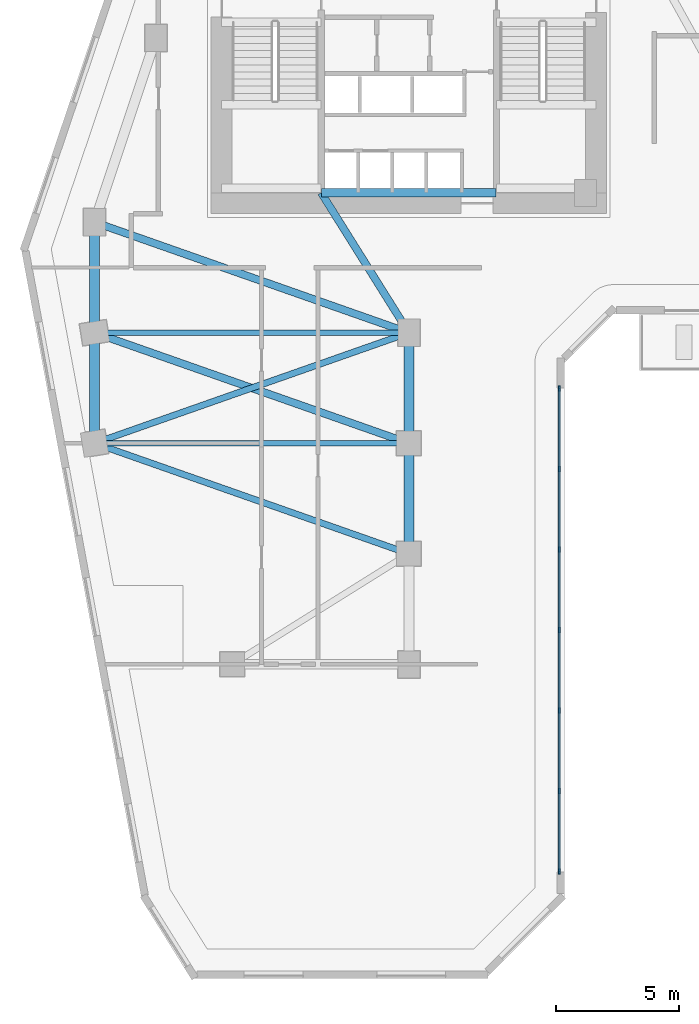
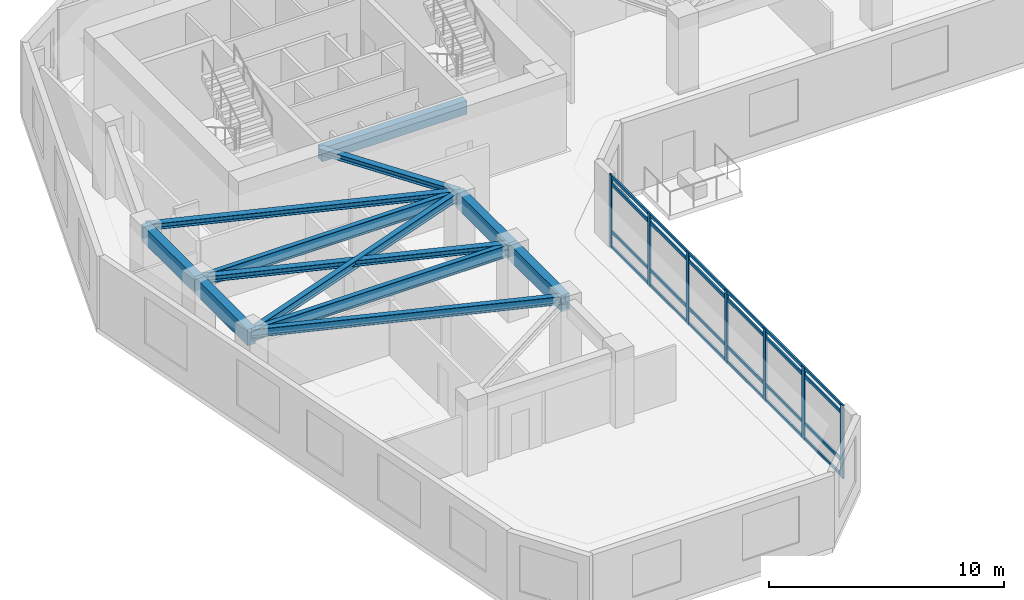
# One storey, part 2 of 11: 12 beams, 11 members, 1 element without a shape of its own.
"""IFC4 building model written with IfcOpenShell, lengths in metres."""

from ifc_helpers import new_model, si_unit, direction, frame, origin, origin_2d, place, context, subcontext, project, spatial, rectangle, i_section, extrude, source, transform, mapped, material, material_profile, profile_set, type_object, element, aggregate, save


model = new_model("IFC4")

# Units and contexts
model_context = context("Model", 3, precision=1e-05, world=origin(), true_north=direction((0.0, 1.0)))
body_context = subcontext(model_context, "Body", "Model", "MODEL_VIEW")
ifc_project = project(units=[si_unit("LENGTHUNIT", "METRE"), si_unit("AREAUNIT", "SQUARE_METRE"), si_unit("VOLUMEUNIT", "CUBIC_METRE"), si_unit("PLANEANGLEUNIT", "RADIAN"), si_unit("MASSUNIT", "GRAM", prefix="KILO")], contexts=[model_context])

# Site, building, storey
site_placement = place(None, origin())
site = spatial("IfcSite", under=ifc_project, at=site_placement, CompositionType="ELEMENT")
building_placement = place(site_placement, origin())
building = spatial("IfcBuilding", under=site, at=building_placement, Name="Calvemar Wedge Station Tower", CompositionType="ELEMENT")
storey_placement = place(building_placement, frame((0.0, 0.0, 47.0)))
storey = spatial("IfcBuildingStorey", under=building, at=storey_placement, Name="L11", CompositionType="ELEMENT", Elevation=47.0)

# Beams
ifc_material_1 = material(Name="Concrete C60", Category="concrete")
ifc_material_profile_1 = material_profile(ifc_material_1, rectangle(XDim=0.39990234375, YDim=0.85009765625, at=origin_2d()), Name="RC400x850")
ifc_profile_set_1 = profile_set([ifc_material_profile_1], Name="Concrete C60")
beam_type_1 = type_object("IfcBeamType", Name="BM-SP1-850", PredefinedType="SPANDREL", material=ifc_profile_set_1)
shared_shape_1 = source(origin(), body_context, "Body", "SweptSolid", [
    extrude(rectangle(XDim=0.39990234375, YDim=0.85009765625, at=origin_2d()), origin(), (0.0, 0.0, 1.0), 4.5),
])
for number, where, z_axis, x_axis, name in (
    (1, (11.0, 33.0, 3.324951171875), (0.0, -1.0, 0.0), (1.0, 0.0, 0.0), "Storey L11 Spandrel T-NW1-T-SW1"),
    (2, (11.0, 28.5, 3.324951171875), (0.0, -1.0, 0.0), (1.0, 0.0, 0.0), "Storey L11 Spandrel T-SW1-T-SW2"),
    (3, (23.800048828125, 28.5, 3.324951171875), (0.0, -1.0, 0.0), (1.0, 0.0, 0.0), "Storey L11 Spandrel T-SE1-T-SE2"),
    (4, (23.800048828125, 24.0, 3.324951171875), (0.0, -1.0, 0.0), (1.0, 0.0, 0.0), "Storey L11 Spandrel T-SE2-T-SE3"),
):
    element("IfcBeam", number, at=place(storey_placement, frame(where, z_axis=z_axis, x_axis=x_axis)), inside=storey, type_object=beam_type_1, Name=name, PredefinedType="SPANDREL", context=body_context, shape_type="MappedRepresentation", body=[
        mapped(shared_shape_1, transform((0.0, 0.0, 0.0), scale=1.0)),
    ])
ifc_material_2 = material(Name="Structural steel ASTM A572 Grade 50", Category="steel")
ifc_material_profile_2 = material_profile(ifc_material_2, i_section(OverallWidth=0.22998046875, OverallDepth=0.616943359375, WebThickness=0.01318359375, FlangeThickness=0.022216796875, FilletRadius=0.012939453125, at=origin_2d()), Name="W610x140")
ifc_profile_set_2 = profile_set([ifc_material_profile_2], Name="Structural steel ASTM A572 Grade 50")
beam_type_2 = type_object("IfcBeamType", Name="BM-SB2-W610", PredefinedType="BEAM", material=ifc_profile_set_2)
shared_shape_2 = source(origin(), body_context, "Body", "SweptSolid", [
    extrude(i_section(OverallWidth=0.22998046875, OverallDepth=0.616943359375, WebThickness=0.01318359375, FlangeThickness=0.022216796875, FilletRadius=0.012939453125, at=origin_2d()), origin(), (0.0, 0.0, 1.0), 12.800048828125),
])
for number, where, z_axis, x_axis, name in (
    (5, (11.0, 28.5, 3.44140625), (1.0, 0.0, 0.0), (0.0, 1.0, 0.0), "Storey L11 Floor Beam T-SW1-T-SE1"),
    (6, (11.0, 24.0, 3.44140625), (1.0, 0.0, 0.0), (0.0, 1.0, 0.0), "Storey L11 Floor Beam T-SW2-T-SE2"),
):
    element("IfcBeam", number, at=place(storey_placement, frame(where, z_axis=z_axis, x_axis=x_axis)), inside=storey, type_object=beam_type_2, Name=name, PredefinedType="BEAM", context=body_context, shape_type="MappedRepresentation", body=[
        mapped(shared_shape_2, transform((0.0, 0.0, 0.0), scale=1.0)),
    ])
ifc_material_3 = material(Name="Concrete C70", Category="concrete")
ifc_material_profile_3 = material_profile(ifc_material_3, rectangle(XDim=0.35009765625, YDim=0.699951171875, at=origin_2d()), Name="RC350x700")
ifc_profile_set_3 = profile_set([ifc_material_profile_3], Name="Concrete C70")
beam_type_3 = type_object("IfcBeamType", Name="BM-LN1-700", PredefinedType="LINTEL", material=ifc_profile_set_3)
shared_shape_3 = source(origin(), body_context, "Body", "SweptSolid", [
    extrude(rectangle(XDim=0.35009765625, YDim=0.699951171875, at=origin_2d()), origin(), (0.0, 0.0, 1.0), 7.10009765625),
])
beam_1_placement = place(storey_placement, frame((20.25, 34.199951171875, 3.39990234375), z_axis=(1.0, 0.0, 0.0), x_axis=(0.0, 1.0, 0.0)))
element("IfcBeam", 7, at=beam_1_placement, inside=storey, type_object=beam_type_3, Name="Storey L11 Core Coupling Lintel South", PredefinedType="LINTEL", context=body_context, shape_type="MappedRepresentation", body=[
    mapped(shared_shape_3, transform((0.0, 0.0, 0.0), scale=1.0)),
])
ifc_material_profile_4 = material_profile(ifc_material_2, i_section(OverallWidth=0.304931640625, OverallDepth=0.30810546875, WebThickness=0.010009765625, FlangeThickness=0.015380859375, FilletRadius=0.014892578125, at=origin_2d()), Name="W310x97")
ifc_profile_set_4 = profile_set([ifc_material_profile_4], Name="Structural steel ASTM A572 Grade 50")
beam_type_4 = type_object("IfcBeamType", Name="BM-J6-W310", PredefinedType="JOIST", material=ifc_profile_set_4)
shared_shape_4 = source(origin(), body_context, "Body", "SweptSolid", [
    extrude(i_section(OverallWidth=0.304931640625, OverallDepth=0.30810546875, WebThickness=0.010009765625, FlangeThickness=0.015380859375, FilletRadius=0.014892578125, at=origin_2d()), origin(), (0.0, 0.0, 1.0), 13.568115234375),
])
for number, where, z_axis, x_axis, name in (
    (8, (11.0, 33.0, 3.595947265625), (0.943398221169, -0.331662171939, 0.0), (0.331662171939, 0.943398221169, 0.0), "Storey L11 Floor Beam T-NW1-T-SE1"),
    (9, (11.0, 28.5, 3.595947265625), (0.943398221169, -0.331662171939, 0.0), (0.331662171939, 0.943398221169, 0.0), "Storey L11 Floor Beam T-SW1-T-SE2"),
):
    element("IfcBeam", number, at=place(storey_placement, frame(where, z_axis=z_axis, x_axis=x_axis)), inside=storey, type_object=beam_type_4, Name=name, PredefinedType="JOIST", context=body_context, shape_type="MappedRepresentation", body=[
        mapped(shared_shape_4, transform((0.0, 0.0, 0.0), scale=1.0)),
    ])
ifc_material_profile_5 = material_profile(ifc_material_2, i_section(OverallWidth=0.260986328125, OverallDepth=0.419921875, WebThickness=0.01171875, FlangeThickness=0.019287109375, FilletRadius=0.012939453125, at=origin_2d()), Name="W410x114")
ifc_profile_set_5 = profile_set([ifc_material_profile_5], Name="Structural steel ASTM A572 Grade 50")
beam_type_5 = type_object("IfcBeamType", Name="BM-J2-W410H", PredefinedType="JOIST", material=ifc_profile_set_5)
shared_shape_5 = source(origin(), body_context, "Body", "SweptSolid", [
    extrude(i_section(OverallWidth=0.260986328125, OverallDepth=0.419921875, WebThickness=0.01171875, FlangeThickness=0.019287109375, FilletRadius=0.012939453125, at=origin_2d()), origin(), (0.0, 0.0, 1.0), 13.568115234375),
])
for number, where, z_axis, x_axis, name in (
    (10, (23.800048828125, 28.5, 3.5400390625), (-0.943398221169, -0.331662171939, 0.0), (0.331662171939, -0.943398221169, 0.0), "Storey L11 Floor Beam T-SE1-T-SW2"),
    (11, (11.0, 24.0, 3.5400390625), (0.943398221169, -0.331662171939, 0.0), (0.331662171939, 0.943398221169, 0.0), "Storey L11 Floor Beam T-SW2-T-SE3"),
):
    element("IfcBeam", number, at=place(storey_placement, frame(where, z_axis=z_axis, x_axis=x_axis)), inside=storey, type_object=beam_type_5, Name=name, PredefinedType="JOIST", context=body_context, shape_type="MappedRepresentation", body=[
        mapped(shared_shape_5, transform((0.0, 0.0, 0.0), scale=1.0)),
    ])
shared_shape_6 = source(origin(), body_context, "Body", "SweptSolid", [
    extrude(i_section(OverallWidth=0.304931640625, OverallDepth=0.30810546875, WebThickness=0.010009765625, FlangeThickness=0.015380859375, FilletRadius=0.014892578125, at=origin_2d()), origin(), (0.0, 0.0, 1.0), 6.7255859375),
])
beam_2_placement = place(storey_placement, frame((20.22998046875, 34.199951171875, 3.595947265625), z_axis=(0.530811158438, -0.847490126242, 0.0), x_axis=(0.847490126242, 0.530811158438, 0.0)))
element("IfcBeam", 12, at=beam_2_placement, inside=storey, type_object=beam_type_4, Name="Storey L11 Core-to-Column Joist CJ-S2", PredefinedType="JOIST", context=body_context, shape_type="MappedRepresentation", body=[
    mapped(shared_shape_6, transform((0.0, 0.0, 0.0), scale=1.0)),
])

# Curtain wall, members
ifc_material_4 = material(Name="Anodised aluminium 6063-T6", Category="aluminium")
curtain_wall_type = type_object("IfcCurtainWallType", Name="CW1", PredefinedType="NOTDEFINED", material=ifc_material_4)
curtain_wall_placement = place(storey_placement, origin())
curtain_wall = element("IfcCurtainWall", 13, at=curtain_wall_placement, inside=storey, type_object=curtain_wall_type, Name="Storey L11 CW1 Recessed Unitised Curtain Wall 4", PredefinedType="NOTDEFINED")
ifc_material_profile_6 = material_profile(ifc_material_4, rectangle(XDim=0.080078125, YDim=0.219970703125, at=origin_2d()), Name="AL-MUL-80x220")
ifc_profile_set_6 = profile_set([ifc_material_profile_6], Name="Anodised aluminium 6063-T6")
member_type_1 = type_object("IfcMemberType", Name="CW1-MUL", PredefinedType="MULLION", material=ifc_profile_set_6)
shared_shape_7 = source(origin(), body_context, "Body", "SweptSolid", [
    extrude(rectangle(XDim=0.080078125, YDim=0.219970703125, at=origin_2d()), origin(), (0.0, 0.0, 1.0), 3.800048828125),
])
member_1_placement = place(storey_placement, frame((29.91796875, 6.56201171875, -0.050048828125), z_axis=(0.0, 0.0, 1.0), x_axis=(1.0, 0.0, 0.0)))
member_1 = element("IfcMember", 14, at=member_1_placement, type_object=member_type_1, Name="CW1 mullion 1", PredefinedType="MULLION", context=body_context, shape_type="MappedRepresentation", body=[
    mapped(shared_shape_7, transform((0.0, 0.0, 0.0), scale=1.0)),
])
member_2_placement = place(storey_placement, frame((29.91796875, 9.8388671875, -0.050048828125), z_axis=(0.0, 0.0, 1.0), x_axis=(1.0, 0.0, 0.0)))
member_2 = element("IfcMember", 15, at=member_2_placement, type_object=member_type_1, Name="CW1 mullion 2", PredefinedType="MULLION", context=body_context, shape_type="MappedRepresentation", body=[
    mapped(shared_shape_7, transform((0.0, 0.0, 0.0), scale=1.0)),
])
member_3_placement = place(storey_placement, frame((29.91796875, 13.115478515625, -0.050048828125), z_axis=(0.0, 0.0, 1.0), x_axis=(1.0, 0.0, 0.0)))
member_3 = element("IfcMember", 16, at=member_3_placement, type_object=member_type_1, Name="CW1 mullion 3", PredefinedType="MULLION", context=body_context, shape_type="MappedRepresentation", body=[
    mapped(shared_shape_7, transform((0.0, 0.0, 0.0), scale=1.0)),
])
member_4_placement = place(storey_placement, frame((29.91796875, 16.39208984375, -0.050048828125), z_axis=(0.0, 0.0, 1.0), x_axis=(1.0, 0.0, 0.0)))
member_4 = element("IfcMember", 17, at=member_4_placement, type_object=member_type_1, Name="CW1 mullion 4", PredefinedType="MULLION", context=body_context, shape_type="MappedRepresentation", body=[
    mapped(shared_shape_7, transform((0.0, 0.0, 0.0), scale=1.0)),
])
member_5_placement = place(storey_placement, frame((29.91796875, 19.668701171875, -0.050048828125), z_axis=(0.0, 0.0, 1.0), x_axis=(1.0, 0.0, 0.0)))
member_5 = element("IfcMember", 18, at=member_5_placement, type_object=member_type_1, Name="CW1 mullion 5", PredefinedType="MULLION", context=body_context, shape_type="MappedRepresentation", body=[
    mapped(shared_shape_7, transform((0.0, 0.0, 0.0), scale=1.0)),
])
member_6_placement = place(storey_placement, frame((29.91796875, 22.9453125, -0.050048828125), z_axis=(0.0, 0.0, 1.0), x_axis=(1.0, 0.0, 0.0)))
member_6 = element("IfcMember", 19, at=member_6_placement, type_object=member_type_1, Name="CW1 mullion 6", PredefinedType="MULLION", context=body_context, shape_type="MappedRepresentation", body=[
    mapped(shared_shape_7, transform((0.0, 0.0, 0.0), scale=1.0)),
])
member_7_placement = place(storey_placement, frame((29.91796875, 26.22216796875, -0.050048828125), z_axis=(0.0, 0.0, 1.0), x_axis=(1.0, 0.0, 0.0)))
member_7 = element("IfcMember", 20, at=member_7_placement, type_object=member_type_1, Name="CW1 mullion 7", PredefinedType="MULLION", context=body_context, shape_type="MappedRepresentation", body=[
    mapped(shared_shape_7, transform((0.0, 0.0, 0.0), scale=1.0)),
])
ifc_material_profile_7 = material_profile(ifc_material_4, rectangle(XDim=0.080078125, YDim=0.159912109375, at=origin_2d()), Name="AL-TRN-80x160")
ifc_profile_set_7 = profile_set([ifc_material_profile_7], Name="Anodised aluminium 6063-T6")
member_type_2 = type_object("IfcMemberType", Name="CW1-TRN", PredefinedType="USERDEFINED", material=ifc_profile_set_7)
shared_shape_8 = source(origin(), body_context, "Body", "SweptSolid", [
    extrude(rectangle(XDim=0.080078125, YDim=0.159912109375, at=origin_2d()), origin(), (0.0, 0.0, 1.0), 19.66015625),
])
member_8_placement = place(storey_placement, frame((29.91796875, 6.56201171875, 0.06005859375), z_axis=(0.0, 1.0, 0.0), x_axis=(-1.0, 0.0, 0.0)))
member_8 = element("IfcMember", 21, at=member_8_placement, type_object=member_type_2, Name="CW1 transom 1", ObjectType="TRANSOM", PredefinedType="USERDEFINED", context=body_context, shape_type="MappedRepresentation", body=[
    mapped(shared_shape_8, transform((0.0, 0.0, 0.0), scale=1.0)),
])
member_9_placement = place(storey_placement, frame((29.91796875, 6.56201171875, 0.85009765625), z_axis=(0.0, 1.0, 0.0), x_axis=(-1.0, 0.0, 0.0)))
member_9 = element("IfcMember", 22, at=member_9_placement, type_object=member_type_2, Name="CW1 transom 2", ObjectType="TRANSOM", PredefinedType="USERDEFINED", context=body_context, shape_type="MappedRepresentation", body=[
    mapped(shared_shape_8, transform((0.0, 0.0, 0.0), scale=1.0)),
])
member_10_placement = place(storey_placement, frame((29.91796875, 6.56201171875, 3.300048828125), z_axis=(0.0, 1.0, 0.0), x_axis=(-1.0, 0.0, 0.0)))
member_10 = element("IfcMember", 23, at=member_10_placement, type_object=member_type_2, Name="CW1 transom 3", ObjectType="TRANSOM", PredefinedType="USERDEFINED", context=body_context, shape_type="MappedRepresentation", body=[
    mapped(shared_shape_8, transform((0.0, 0.0, 0.0), scale=1.0)),
])
member_11_placement = place(storey_placement, frame((29.91796875, 6.56201171875, 3.68994140625), z_axis=(0.0, 1.0, 0.0), x_axis=(-1.0, 0.0, 0.0)))
member_11 = element("IfcMember", 24, at=member_11_placement, type_object=member_type_2, Name="CW1 transom 4", ObjectType="TRANSOM", PredefinedType="USERDEFINED", context=body_context, shape_type="MappedRepresentation", body=[
    mapped(shared_shape_8, transform((0.0, 0.0, 0.0), scale=1.0)),
])
aggregate(curtain_wall, [member_1, member_2, member_3, member_4, member_5, member_6, member_7, member_8, member_9, member_10, member_11])

save(model, "model.ifc")
